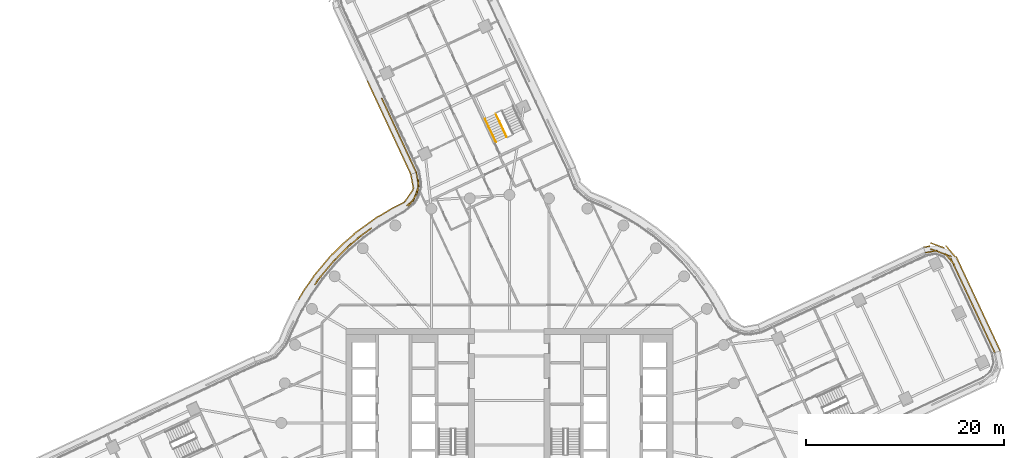
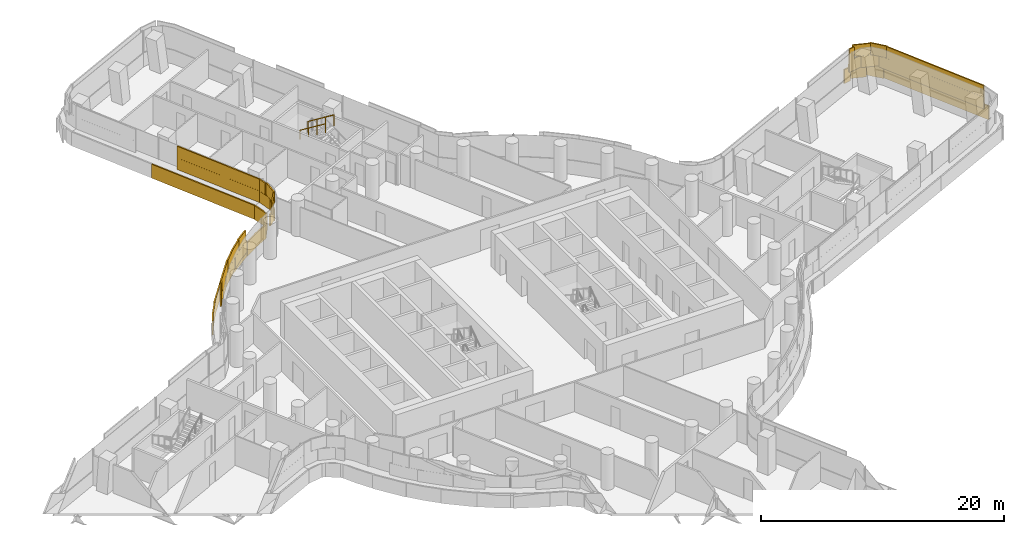
# One storey, part 34 of 36: 3 coverings, 2 railings.
"""IFC4 building model written with IfcOpenShell, lengths in metres."""

from ifc_helpers import new_model, si_unit, direction, frame, origin, origin_2d, place, context, subcontext, project, spatial, rectangle, circle, extrude, material, layer, layer_set, type_object, element, save


model = new_model("IFC4")

# Units and contexts
model_context = context("Model", 3, precision=1e-05, world=origin(), true_north=direction((0.0, 1.0)))
body_context = subcontext(model_context, "Body", "Model", "MODEL_VIEW")
ifc_project = project(units=[si_unit("LENGTHUNIT", "METRE"), si_unit("AREAUNIT", "SQUARE_METRE"), si_unit("VOLUMEUNIT", "CUBIC_METRE"), si_unit("PLANEANGLEUNIT", "RADIAN"), si_unit("MASSUNIT", "GRAM", prefix="KILO")], contexts=[model_context])

# Site, building, storey
site_placement = place(None, origin())
site = spatial("IfcSite", under=ifc_project, at=site_placement, CompositionType="ELEMENT")
building_placement = place(site_placement, origin())
building = spatial("IfcBuilding", under=site, at=building_placement, Name="Tamarind Cross Interchange Tower", CompositionType="ELEMENT")
storey_placement = place(building_placement, frame((0.0, 0.0, 124.75)))
storey = spatial("IfcBuildingStorey", under=building, at=storey_placement, Name="L30", CompositionType="ELEMENT", Elevation=124.75)

# Railings
ifc_material_1 = material(Name="Stair guard")
railing_type_1 = type_object("IfcRailingType", Name="Stair guard", PredefinedType="GUARDRAIL", material=ifc_material_1)
railing_1_placement = place(storey_placement, frame((-1.37158203125, 31.184326171875, 2.04541015625)))
element("IfcRailing", 1, at=railing_1_placement, inside=storey, type_object=railing_type_1, Name="L30 ST4 stair guard 3", PredefinedType="GUARDRAIL", context=body_context, shape_type="SweptSolid", body=[
    extrude(circle(Radius=0.02392578125, at=origin_2d()), frame((0.0, 0.0, 1.076171875), z_axis=(0.354398913971, -0.75748546957, 0.548285667482), x_axis=(0.905767689231, 0.423774578219, 0.0)), (0.0, 0.0, 1.0), 3.10888671875),
    extrude(circle(Radius=0.02099609375, at=origin_2d()), origin(), (0.0, 0.0, 1.0), 1.052001953125),
    extrude(circle(Radius=0.02099609375, at=origin_2d()), frame((0.3671875, -0.784912109375, 0.568115234375)), (0.0, 0.0, 1.0), 1.052001953125),
    extrude(circle(Radius=0.02099609375, at=origin_2d()), frame((0.734619140625, -1.570068359375, 1.136474609375)), (0.0, 0.0, 1.0), 1.052001953125),
    extrude(circle(Radius=0.02099609375, at=origin_2d()), frame((1.101806640625, -2.35498046875, 1.70458984375)), (0.0, 0.0, 1.0), 1.052001953125),
])
ifc_material_2 = material(Name="Stair handrail")
railing_type_2 = type_object("IfcRailingType", Name="Stair handrail", PredefinedType="HANDRAIL", material=ifc_material_2)
railing_2_placement = place(storey_placement, frame((-2.45849609375, 30.67578125, 2.04541015625)))
element("IfcRailing", 2, at=railing_2_placement, inside=storey, type_object=railing_type_2, Name="L30 ST4 stair handrail 2", PredefinedType="HANDRAIL", context=body_context, shape_type="SweptSolid", body=[
    extrude(circle(Radius=0.02392578125, at=origin_2d()), frame((0.0, 0.0, 0.8759765625), z_axis=(0.354398913971, -0.75748546957, 0.548285667482), x_axis=(0.905767689231, 0.423774578219, 0.0)), (0.0, 0.0, 1.0), 3.10888671875),
    extrude(circle(Radius=0.02099609375, at=origin_2d()), origin(), (0.0, 0.0, 1.0), 0.851806640625),
    extrude(circle(Radius=0.02099609375, at=origin_2d()), frame((0.3671875, -0.784912109375, 0.568115234375)), (0.0, 0.0, 1.0), 0.851806640625),
    extrude(circle(Radius=0.02099609375, at=origin_2d()), frame((0.734619140625, -1.570068359375, 1.136474609375)), (0.0, 0.0, 1.0), 0.851806640625),
    extrude(circle(Radius=0.02099609375, at=origin_2d()), frame((1.101806640625, -2.35498046875, 1.70458984375)), (0.0, 0.0, 1.0), 0.851806640625),
])

# Coverings
ifc_material_3 = material(Name="Terracotta", Category="masonry")
ifc_layer = layer(ifc_material_3, 0.1201171875)
ifc_layer_set = layer_set([ifc_layer], Name="Terracotta")
covering_type = type_object("IfcCoveringType", Name="Terracotta baguette screen unit", PredefinedType="MOLDING", material=ifc_layer_set)
covering_1_placement = place(storey_placement, origin())
element("IfcCovering", 3, at=covering_1_placement, inside=storey, type_object=covering_type, Name="SCR-L30-08-00", PredefinedType="MOLDING", context=body_context, shape_type="SweptSolid", body=[
    extrude(rectangle(XDim=1.510009765625, YDim=0.1201171875, at=origin_2d()), frame((48.645263671875, 7.76220703125, 1.404052734375), z_axis=(0.0, 0.0, 1.0), x_axis=(-0.423807415123, 0.905752325355, 0.0)), (0.0, 0.0, 1.0), 1.1669921875),
    extrude(rectangle(XDim=1.52001953125, YDim=0.1201171875, at=origin_2d()), frame((48.009521484375, 9.120849609375, 1.404052734375), z_axis=(0.0, 0.0, 1.0), x_axis=(-0.423807415123, 0.905752325355, 0.0)), (0.0, 0.0, 1.0), 1.1669921875),
    extrude(rectangle(XDim=1.52001953125, YDim=0.1201171875, at=origin_2d()), frame((47.373779296875, 10.4794921875, 1.404052734375), z_axis=(0.0, 0.0, 1.0), x_axis=(-0.423807415123, 0.905752325355, 0.0)), (0.0, 0.0, 1.0), 1.1669921875),
    extrude(rectangle(XDim=1.52001953125, YDim=0.1201171875, at=origin_2d()), frame((46.73828125, 11.838134765625, 1.404052734375), z_axis=(0.0, 0.0, 1.0), x_axis=(-0.423807415123, 0.905752325355, 0.0)), (0.0, 0.0, 1.0), 1.1669921875),
    extrude(rectangle(XDim=1.52001953125, YDim=0.1201171875, at=origin_2d()), frame((46.1025390625, 13.19677734375, 1.404052734375), z_axis=(0.0, 0.0, 1.0), x_axis=(-0.423807415123, 0.905752325355, 0.0)), (0.0, 0.0, 1.0), 1.1669921875),
    extrude(rectangle(XDim=1.52001953125, YDim=0.1201171875, at=origin_2d()), frame((45.466796875, 14.555419921875, 1.404052734375), z_axis=(0.0, 0.0, 1.0), x_axis=(-0.423807415123, 0.905752325355, 0.0)), (0.0, 0.0, 1.0), 1.1669921875),
    extrude(rectangle(XDim=1.52001953125, YDim=0.1201171875, at=origin_2d()), frame((44.8310546875, 15.9140625, 1.404052734375), z_axis=(0.0, 0.0, 1.0), x_axis=(-0.423807415123, 0.905752325355, 0.0)), (0.0, 0.0, 1.0), 1.1669921875),
    extrude(rectangle(XDim=1.52001953125, YDim=0.1201171875, at=origin_2d()), frame((43.879638671875, 17.034423828125, 1.404052734375), z_axis=(0.0, 0.0, 1.0), x_axis=(-0.940140708485, 0.340786514184, 0.0)), (0.0, 0.0, 1.0), 1.1669921875),
    extrude(rectangle(XDim=1.259521484375, YDim=0.1201171875, at=origin_2d()), frame((42.5673828125, 17.272705078125, 1.404052734375), z_axis=(0.0, 0.0, 1.0), x_axis=(-0.984578993772, -0.174940575692, 0.0)), (0.0, 0.0, 1.0), 1.1669921875),
    extrude(rectangle(XDim=0.760009765625, YDim=0.1201171875, at=origin_2d()), frame((48.80419921875, 7.422607421875, 2.5791015625), z_axis=(0.0, 0.0, 1.0), x_axis=(-0.423807415123, 0.905752325355, 0.0)), (0.0, 0.0, 1.0), 1.1669921875),
    extrude(rectangle(XDim=1.52001953125, YDim=0.1201171875, at=origin_2d()), frame((48.327392578125, 8.44140625, 2.5791015625), z_axis=(0.0, 0.0, 1.0), x_axis=(-0.423807415123, 0.905752325355, 0.0)), (0.0, 0.0, 1.0), 1.1669921875),
    extrude(rectangle(XDim=1.52001953125, YDim=0.1201171875, at=origin_2d()), frame((47.691650390625, 9.800048828125, 2.5791015625), z_axis=(0.0, 0.0, 1.0), x_axis=(-0.423807415123, 0.905752325355, 0.0)), (0.0, 0.0, 1.0), 1.1669921875),
    extrude(rectangle(XDim=1.52001953125, YDim=0.1201171875, at=origin_2d()), frame((47.05615234375, 11.15869140625, 2.5791015625), z_axis=(0.0, 0.0, 1.0), x_axis=(-0.423807415123, 0.905752325355, 0.0)), (0.0, 0.0, 1.0), 1.1669921875),
    extrude(rectangle(XDim=1.52001953125, YDim=0.1201171875, at=origin_2d()), frame((46.42041015625, 12.517333984375, 2.5791015625), z_axis=(0.0, 0.0, 1.0), x_axis=(-0.423807415123, 0.905752325355, 0.0)), (0.0, 0.0, 1.0), 1.1669921875),
    extrude(rectangle(XDim=1.52001953125, YDim=0.1201171875, at=origin_2d()), frame((45.78466796875, 13.8759765625, 2.5791015625), z_axis=(0.0, 0.0, 1.0), x_axis=(-0.423807415123, 0.905752325355, 0.0)), (0.0, 0.0, 1.0), 1.1669921875),
    extrude(rectangle(XDim=1.52001953125, YDim=0.1201171875, at=origin_2d()), frame((45.14892578125, 15.234619140625, 2.5791015625), z_axis=(0.0, 0.0, 1.0), x_axis=(-0.423807415123, 0.905752325355, 0.0)), (0.0, 0.0, 1.0), 1.1669921875),
    extrude(rectangle(XDim=1.52001953125, YDim=0.1201171875, at=origin_2d()), frame((44.408447265625, 16.5263671875, 2.5791015625), z_axis=(0.0, 0.0, 1.0), x_axis=(-0.643792479588, 0.765200132793, 0.0)), (0.0, 0.0, 1.0), 1.1669921875),
    extrude(rectangle(XDim=1.52001953125, YDim=0.1201171875, at=origin_2d()), frame((43.174560546875, 17.2900390625, 2.5791015625), z_axis=(0.0, 0.0, 1.0), x_axis=(-0.940140708485, 0.340786514184, 0.0)), (0.0, 0.0, 1.0), 1.1669921875),
    extrude(rectangle(XDim=0.509521484375, YDim=0.1201171875, at=origin_2d()), frame((42.197998046875, 17.20703125, 2.5791015625), z_axis=(0.0, 0.0, 1.0), x_axis=(-0.984578993772, -0.174940575692, 0.0)), (0.0, 0.0, 1.0), 1.1669921875),
    extrude(rectangle(XDim=1.510009765625, YDim=0.1201171875, at=origin_2d()), frame((49.195068359375, 7.941650390625, 0.00390625), z_axis=(0.0, 0.0, 1.0), x_axis=(-0.423807415123, 0.905752325355, 0.0)), (0.0, 0.0, 1.0), 1.39208984375),
    extrude(rectangle(XDim=1.52001953125, YDim=0.1201171875, at=origin_2d()), frame((48.5615234375, 9.295654296875, 0.00390625), z_axis=(0.0, 0.0, 1.0), x_axis=(-0.423807415123, 0.905752325355, 0.0)), (0.0, 0.0, 1.0), 1.39208984375),
    extrude(rectangle(XDim=1.52001953125, YDim=0.1201171875, at=origin_2d()), frame((47.92578125, 10.654296875, 0.00390625), z_axis=(0.0, 0.0, 1.0), x_axis=(-0.423807415123, 0.905752325355, 0.0)), (0.0, 0.0, 1.0), 1.39208984375),
    extrude(rectangle(XDim=1.52001953125, YDim=0.1201171875, at=origin_2d()), frame((47.2900390625, 12.012939453125, 0.00390625), z_axis=(0.0, 0.0, 1.0), x_axis=(-0.423807415123, 0.905752325355, 0.0)), (0.0, 0.0, 1.0), 1.39208984375),
    extrude(rectangle(XDim=1.52001953125, YDim=0.1201171875, at=origin_2d()), frame((46.654296875, 13.37158203125, 0.00390625), z_axis=(0.0, 0.0, 1.0), x_axis=(-0.423807415123, 0.905752325355, 0.0)), (0.0, 0.0, 1.0), 1.39208984375),
    extrude(rectangle(XDim=1.52001953125, YDim=0.1201171875, at=origin_2d()), frame((46.018798828125, 14.730224609375, 0.00390625), z_axis=(0.0, 0.0, 1.0), x_axis=(-0.423807415123, 0.905752325355, 0.0)), (0.0, 0.0, 1.0), 1.39208984375),
    extrude(rectangle(XDim=1.52001953125, YDim=0.1201171875, at=origin_2d()), frame((45.383056640625, 16.0888671875, 0.00390625), z_axis=(0.0, 0.0, 1.0), x_axis=(-0.423807415123, 0.905752325355, 0.0)), (0.0, 0.0, 1.0), 1.39208984375),
    extrude(rectangle(XDim=1.52001953125, YDim=0.1201171875, at=origin_2d()), frame((44.5107421875, 17.29638671875, 0.00390625), z_axis=(0.0, 0.0, 1.0), x_axis=(-0.643792479588, 0.765200132793, 0.0)), (0.0, 0.0, 1.0), 1.39208984375),
    extrude(rectangle(XDim=1.52001953125, YDim=0.1201171875, at=origin_2d()), frame((43.167236328125, 17.903076171875, 0.00390625), z_axis=(0.0, 0.0, 1.0), x_axis=(-0.940140708485, 0.340786514184, 0.0)), (0.0, 0.0, 1.0), 1.39208984375),
    extrude(rectangle(XDim=0.676513671875, YDim=0.1201171875, at=origin_2d()), frame((42.11083984375, 17.774658203125, 0.00390625), z_axis=(0.0, 0.0, 1.0), x_axis=(-0.984578993772, -0.174940575692, 0.0)), (0.0, 0.0, 1.0), 1.39208984375),
])
covering_2_placement = place(storey_placement, origin())
element("IfcCovering", 4, at=covering_2_placement, inside=storey, type_object=covering_type, Name="SCR-L30-13-01", PredefinedType="MOLDING", context=body_context, shape_type="SweptSolid", body=[
    extrude(rectangle(XDim=0.376220703125, YDim=0.1201171875, at=origin_2d()), frame((-12.807861328125, 32.599609375, 1.404052734375), z_axis=(0.0, 0.0, 1.0), x_axis=(0.422173554282, -0.906515024732, 0.0)), (0.0, 0.0, 1.0), 1.1669921875),
    extrude(rectangle(XDim=1.52001953125, YDim=0.1201171875, at=origin_2d()), frame((-12.4140625, 31.75390625, 1.404052734375), z_axis=(0.0, 0.0, 1.0), x_axis=(0.422173554282, -0.906515024732, 0.0)), (0.0, 0.0, 1.0), 1.1669921875),
    extrude(rectangle(XDim=1.52001953125, YDim=0.1201171875, at=origin_2d()), frame((-11.78076171875, 30.39404296875, 1.404052734375), z_axis=(0.0, 0.0, 1.0), x_axis=(0.422173554282, -0.906515024732, 0.0)), (0.0, 0.0, 1.0), 1.1669921875),
    extrude(rectangle(XDim=1.52001953125, YDim=0.1201171875, at=origin_2d()), frame((-11.1474609375, 29.0341796875, 1.404052734375), z_axis=(0.0, 0.0, 1.0), x_axis=(0.422173554282, -0.906515024732, 0.0)), (0.0, 0.0, 1.0), 1.1669921875),
    extrude(rectangle(XDim=1.52001953125, YDim=0.1201171875, at=origin_2d()), frame((-10.51416015625, 27.674560546875, 1.404052734375), z_axis=(0.0, 0.0, 1.0), x_axis=(0.422173554282, -0.906515024732, 0.0)), (0.0, 0.0, 1.0), 1.1669921875),
    extrude(rectangle(XDim=1.52001953125, YDim=0.1201171875, at=origin_2d()), frame((-9.880859375, 26.314697265625, 1.404052734375), z_axis=(0.0, 0.0, 1.0), x_axis=(0.422173554282, -0.906515024732, 0.0)), (0.0, 0.0, 1.0), 1.1669921875),
    extrude(rectangle(XDim=0.423828125, YDim=0.1201171875, at=origin_2d()), frame((-9.47705078125, 25.447265625, 1.404052734375), z_axis=(0.0, 0.0, 1.0), x_axis=(0.422173554282, -0.906515024732, 0.0)), (0.0, 0.0, 1.0), 1.1669921875),
    extrude(rectangle(XDim=1.126220703125, YDim=0.1201171875, at=origin_2d()), frame((-12.649658203125, 32.259765625, 2.5791015625), z_axis=(0.0, 0.0, 1.0), x_axis=(0.422173554282, -0.906515024732, 0.0)), (0.0, 0.0, 1.0), 1.1669921875),
    extrude(rectangle(XDim=1.52001953125, YDim=0.1201171875, at=origin_2d()), frame((-12.097412109375, 31.073974609375, 2.5791015625), z_axis=(0.0, 0.0, 1.0), x_axis=(0.422173554282, -0.906515024732, 0.0)), (0.0, 0.0, 1.0), 1.1669921875),
    extrude(rectangle(XDim=1.52001953125, YDim=0.1201171875, at=origin_2d()), frame((-11.464111328125, 29.714111328125, 2.5791015625), z_axis=(0.0, 0.0, 1.0), x_axis=(0.422173554282, -0.906515024732, 0.0)), (0.0, 0.0, 1.0), 1.1669921875),
    extrude(rectangle(XDim=1.52001953125, YDim=0.1201171875, at=origin_2d()), frame((-10.830810546875, 28.3544921875, 2.5791015625), z_axis=(0.0, 0.0, 1.0), x_axis=(0.422173554282, -0.906515024732, 0.0)), (0.0, 0.0, 1.0), 1.1669921875),
    extrude(rectangle(XDim=1.52001953125, YDim=0.1201171875, at=origin_2d()), frame((-10.197509765625, 26.99462890625, 2.5791015625), z_axis=(0.0, 0.0, 1.0), x_axis=(0.422173554282, -0.906515024732, 0.0)), (0.0, 0.0, 1.0), 1.1669921875),
    extrude(rectangle(XDim=1.173828125, YDim=0.1201171875, at=origin_2d()), frame((-9.63525390625, 25.787109375, 2.5791015625), z_axis=(0.0, 0.0, 1.0), x_axis=(0.422173554282, -0.906515024732, 0.0)), (0.0, 0.0, 1.0), 1.1669921875),
    extrude(rectangle(XDim=0.975830078125, YDim=0.1201171875, at=origin_2d()), frame((-14.11767578125, 34.052490234375, 0.00390625), z_axis=(0.0, 0.0, 1.0), x_axis=(0.422173554282, -0.906515024732, 0.0)), (0.0, 0.0, 1.0), 1.39208984375),
    extrude(rectangle(XDim=1.52001953125, YDim=0.1201171875, at=origin_2d()), frame((-13.599365234375, 32.939208984375, 0.00390625), z_axis=(0.0, 0.0, 1.0), x_axis=(0.422173554282, -0.906515024732, 0.0)), (0.0, 0.0, 1.0), 1.39208984375),
    extrude(rectangle(XDim=1.52001953125, YDim=0.1201171875, at=origin_2d()), frame((-12.966064453125, 31.57958984375, 0.00390625), z_axis=(0.0, 0.0, 1.0), x_axis=(0.422173554282, -0.906515024732, 0.0)), (0.0, 0.0, 1.0), 1.39208984375),
    extrude(rectangle(XDim=1.52001953125, YDim=0.1201171875, at=origin_2d()), frame((-12.332763671875, 30.2197265625, 0.00390625), z_axis=(0.0, 0.0, 1.0), x_axis=(0.422173554282, -0.906515024732, 0.0)), (0.0, 0.0, 1.0), 1.39208984375),
    extrude(rectangle(XDim=1.52001953125, YDim=0.1201171875, at=origin_2d()), frame((-11.699462890625, 28.85986328125, 0.00390625), z_axis=(0.0, 0.0, 1.0), x_axis=(0.422173554282, -0.906515024732, 0.0)), (0.0, 0.0, 1.0), 1.39208984375),
    extrude(rectangle(XDim=1.52001953125, YDim=0.1201171875, at=origin_2d()), frame((-11.066162109375, 27.500244140625, 0.00390625), z_axis=(0.0, 0.0, 1.0), x_axis=(0.422173554282, -0.906515024732, 0.0)), (0.0, 0.0, 1.0), 1.39208984375),
    extrude(rectangle(XDim=1.52001953125, YDim=0.1201171875, at=origin_2d()), frame((-10.432861328125, 26.140380859375, 0.00390625), z_axis=(0.0, 0.0, 1.0), x_axis=(0.422173554282, -0.906515024732, 0.0)), (0.0, 0.0, 1.0), 1.39208984375),
    extrude(rectangle(XDim=0.4248046875, YDim=0.1201171875, at=origin_2d()), frame((-10.031005859375, 25.277099609375, 0.00390625), z_axis=(0.0, 0.0, 1.0), x_axis=(0.422173554282, -0.906515024732, 0.0)), (0.0, 0.0, 1.0), 1.39208984375),
])
covering_3_placement = place(storey_placement, origin())
element("IfcCovering", 5, at=covering_3_placement, inside=storey, type_object=covering_type, Name="SCR-L30-14-00", PredefinedType="MOLDING", context=body_context, shape_type="SweptSolid", body=[
    extrude(rectangle(XDim=1.510009765625, YDim=0.1201171875, at=origin_2d()), frame((-9.25634765625, 24.521484375, 1.404052734375), z_axis=(0.0, 0.0, 1.0), x_axis=(0.177739252505, -0.984077617934, 0.0)), (0.0, 0.0, 1.0), 1.1669921875),
    extrude(rectangle(XDim=1.52001953125, YDim=0.1201171875, at=origin_2d()), frame((-9.44384765625, 23.06591796875, 1.404052734375), z_axis=(0.0, 0.0, 1.0), x_axis=(-0.332755096556, -0.943013279713, 0.0)), (0.0, 0.0, 1.0), 1.1669921875),
    extrude(rectangle(XDim=0.78173828125, YDim=0.1201171875, at=origin_2d()), frame((-10.06884765625, 22.146240234375, 1.404052734375), z_axis=(0.0, 0.0, 1.0), x_axis=(-0.771263885441, -0.636515529279, 0.0)), (0.0, 0.0, 1.0), 1.1669921875),
    extrude(rectangle(XDim=1.0380859375, YDim=0.1201171875, at=origin_2d()), frame((-14.3154296875, 19.34716796875, 1.404052734375), z_axis=(0.0, 0.0, 1.0), x_axis=(-0.811340475102, -0.584573890505, 0.0)), (0.0, 0.0, 1.0), 1.1669921875),
    extrude(rectangle(XDim=1.52001953125, YDim=0.1201171875, at=origin_2d()), frame((-15.3115234375, 18.57080078125, 1.404052734375), z_axis=(0.0, 0.0, 1.0), x_axis=(-0.760295606781, -0.64957723968, 0.0)), (0.0, 0.0, 1.0), 1.1669921875),
    extrude(rectangle(XDim=1.52001953125, YDim=0.1201171875, at=origin_2d()), frame((-16.447509765625, 17.591552734375, 1.404052734375), z_axis=(0.0, 0.0, 1.0), x_axis=(-0.704057148523, -0.710143317658, 0.0)), (0.0, 0.0, 1.0), 1.1669921875),
    extrude(rectangle(XDim=1.52001953125, YDim=0.1201171875, at=origin_2d()), frame((-17.50341796875, 16.5263671875, 1.404052734375), z_axis=(0.0, 0.0, 1.0), x_axis=(-0.704057148523, -0.710143317658, 0.0)), (0.0, 0.0, 1.0), 1.1669921875),
    extrude(rectangle(XDim=1.52001953125, YDim=0.1201171875, at=origin_2d()), frame((-18.492919921875, 15.400146484375, 1.404052734375), z_axis=(0.0, 0.0, 1.0), x_axis=(-0.643009266048, -0.765858396687, 0.0)), (0.0, 0.0, 1.0), 1.1669921875),
    extrude(rectangle(XDim=1.14013671875, YDim=0.1201171875, at=origin_2d()), frame((-19.311279296875, 14.3720703125, 1.404052734375), z_axis=(0.0, 0.0, 1.0), x_axis=(-0.577568978284, -0.816341886298, 0.0)), (0.0, 0.0, 1.0), 1.1669921875),
    extrude(rectangle(XDim=0.760009765625, YDim=0.1201171875, at=origin_2d()), frame((-9.322998046875, 24.890625, 2.5791015625), z_axis=(0.0, 0.0, 1.0), x_axis=(0.177739252505, -0.984077617934, 0.0)), (0.0, 0.0, 1.0), 1.1669921875),
    extrude(rectangle(XDim=1.52001953125, YDim=0.1201171875, at=origin_2d()), frame((-9.22021484375, 23.77880859375, 2.5791015625), z_axis=(0.0, 0.0, 1.0), x_axis=(-0.080181344121, -0.99678029277, 0.0)), (0.0, 0.0, 1.0), 1.1669921875),
    extrude(rectangle(XDim=1.52001953125, YDim=0.1201171875, at=origin_2d()), frame((-9.78662109375, 22.406005859375, 2.5791015625), z_axis=(0.0, 0.0, 1.0), x_axis=(-0.56313927764, -0.826361999355, 0.0)), (0.0, 0.0, 1.0), 1.1669921875),
    extrude(rectangle(XDim=1.52001953125, YDim=0.1201171875, at=origin_2d()), frame((-14.732421875, 19.046630859375, 2.5791015625), z_axis=(0.0, 0.0, 1.0), x_axis=(-0.811340475102, -0.584573890505, 0.0)), (0.0, 0.0, 1.0), 1.1669921875),
    extrude(rectangle(XDim=1.52001953125, YDim=0.1201171875, at=origin_2d()), frame((-15.8818359375, 18.083740234375, 2.5791015625), z_axis=(0.0, 0.0, 1.0), x_axis=(-0.760295606781, -0.64957723968, 0.0)), (0.0, 0.0, 1.0), 1.1669921875),
    extrude(rectangle(XDim=1.52001953125, YDim=0.1201171875, at=origin_2d()), frame((-16.9755859375, 17.058837890625, 2.5791015625), z_axis=(0.0, 0.0, 1.0), x_axis=(-0.704057148523, -0.710143317658, 0.0)), (0.0, 0.0, 1.0), 1.1669921875),
    extrude(rectangle(XDim=1.52001953125, YDim=0.1201171875, at=origin_2d()), frame((-18.0107421875, 15.974609375, 2.5791015625), z_axis=(0.0, 0.0, 1.0), x_axis=(-0.643009266048, -0.765858396687, 0.0)), (0.0, 0.0, 1.0), 1.1669921875),
    extrude(rectangle(XDim=1.52001953125, YDim=0.1201171875, at=origin_2d()), frame((-18.97509765625, 14.825927734375, 2.5791015625), z_axis=(0.0, 0.0, 1.0), x_axis=(-0.643009266048, -0.765858396687, 0.0)), (0.0, 0.0, 1.0), 1.1669921875),
    extrude(rectangle(XDim=0.39013671875, YDim=0.1201171875, at=origin_2d()), frame((-19.52783203125, 14.06591796875, 2.5791015625), z_axis=(0.0, 0.0, 1.0), x_axis=(-0.577568978284, -0.816341886298, 0.0)), (0.0, 0.0, 1.0), 1.1669921875),
    extrude(rectangle(XDim=1.510009765625, YDim=0.1201171875, at=origin_2d()), frame((-9.80712890625, 24.341552734375, 0.00390625), z_axis=(0.0, 0.0, 1.0), x_axis=(0.177739252505, -0.984077617934, 0.0)), (0.0, 0.0, 1.0), 1.39208984375),
    extrude(rectangle(XDim=1.52001953125, YDim=0.1201171875, at=origin_2d()), frame((-10.1328125, 22.9169921875, 0.00390625), z_axis=(0.0, 0.0, 1.0), x_axis=(-0.56313927764, -0.826361999355, 0.0)), (0.0, 0.0, 1.0), 1.39208984375),
    extrude(rectangle(XDim=1.52001953125, YDim=0.1201171875, at=origin_2d()), frame((-11.249755859375, 21.929443359375, 0.00390625), z_axis=(0.0, 0.0, 1.0), x_axis=(-0.893328914769, -0.449403437946, 0.0)), (0.0, 0.0, 1.0), 1.39208984375),
    extrude(rectangle(XDim=1.52001953125, YDim=0.1201171875, at=origin_2d()), frame((-12.558837890625, 21.19921875, 0.00390625), z_axis=(0.0, 0.0, 1.0), x_axis=(-0.856843065292, -0.515577308909, 0.0)), (0.0, 0.0, 1.0), 1.39208984375),
    extrude(rectangle(XDim=1.52001953125, YDim=0.1201171875, at=origin_2d()), frame((-13.829833984375, 20.404296875, 0.00390625), z_axis=(0.0, 0.0, 1.0), x_axis=(-0.811340475102, -0.584573890505, 0.0)), (0.0, 0.0, 1.0), 1.39208984375),
    extrude(rectangle(XDim=1.52001953125, YDim=0.1201171875, at=origin_2d()), frame((-15.046875, 19.52734375, 0.00390625), z_axis=(0.0, 0.0, 1.0), x_axis=(-0.811340475102, -0.584573890505, 0.0)), (0.0, 0.0, 1.0), 1.39208984375),
    extrude(rectangle(XDim=1.52001953125, YDim=0.1201171875, at=origin_2d()), frame((-16.198974609375, 18.56787109375, 0.00390625), z_axis=(0.0, 0.0, 1.0), x_axis=(-0.760295606781, -0.64957723968, 0.0)), (0.0, 0.0, 1.0), 1.39208984375),
    extrude(rectangle(XDim=1.52001953125, YDim=0.1201171875, at=origin_2d()), frame((-17.298095703125, 17.548828125, 0.00390625), z_axis=(0.0, 0.0, 1.0), x_axis=(-0.704057148523, -0.710143317658, 0.0)), (0.0, 0.0, 1.0), 1.39208984375),
    extrude(rectangle(XDim=1.52001953125, YDim=0.1201171875, at=origin_2d()), frame((-18.342041015625, 16.47265625, 0.00390625), z_axis=(0.0, 0.0, 1.0), x_axis=(-0.643009266048, -0.765858396687, 0.0)), (0.0, 0.0, 1.0), 1.39208984375),
    extrude(rectangle(XDim=1.52001953125, YDim=0.1201171875, at=origin_2d()), frame((-19.306640625, 15.32373046875, 0.00390625), z_axis=(0.0, 0.0, 1.0), x_axis=(-0.643009266048, -0.765858396687, 0.0)), (0.0, 0.0, 1.0), 1.39208984375),
    extrude(rectangle(XDim=1.52001953125, YDim=0.1201171875, at=origin_2d()), frame((-20.1953125, 14.116455078125, 0.00390625), z_axis=(0.0, 0.0, 1.0), x_axis=(-0.577568978284, -0.816341886298, 0.0)), (0.0, 0.0, 1.0), 1.39208984375),
    extrude(rectangle(XDim=1.255859375, YDim=0.1201171875, at=origin_2d()), frame((-20.951416015625, 12.977783203125, 0.00390625), z_axis=(0.0, 0.0, 1.0), x_axis=(-0.508183308752, -0.861248933065, 0.0)), (0.0, 0.0, 1.0), 1.39208984375),
])

save(model, "model.ifc")
